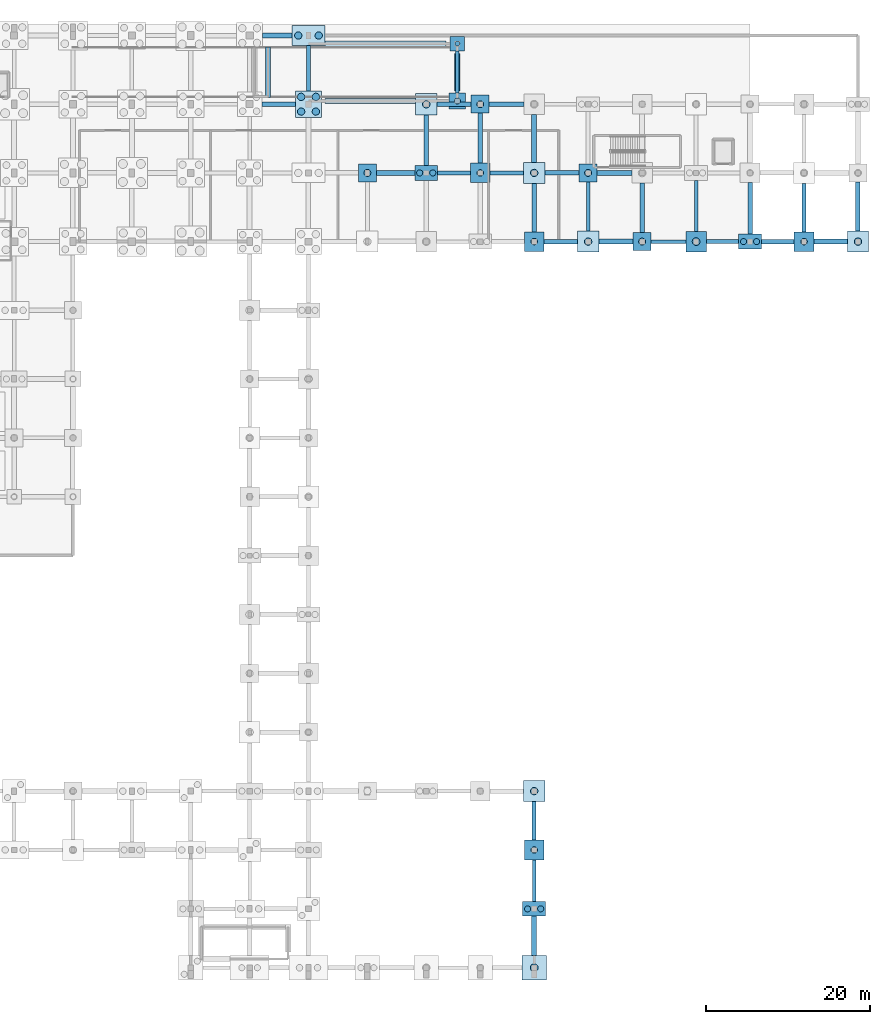
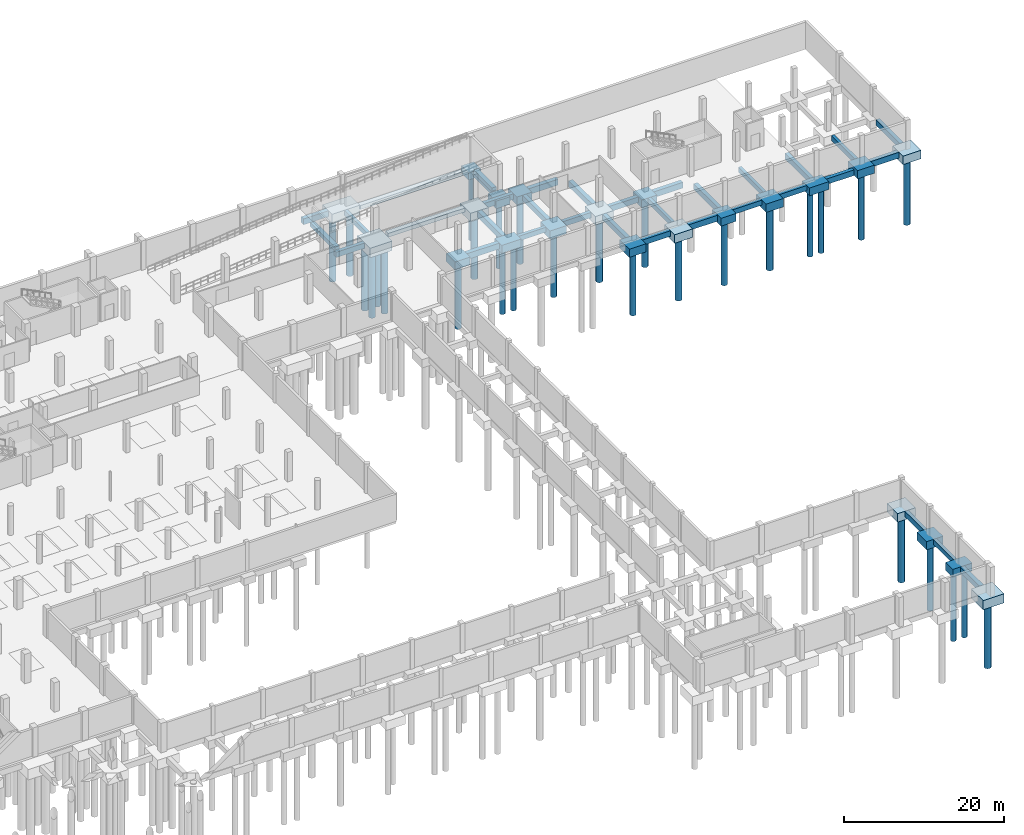
# One storey, part 12 of 35: 56 footings, 29 piles.
"""IFC4 building model written with IfcOpenShell, lengths in metres."""

from ifc_helpers import new_model, si_unit, direction, frame, origin, origin_2d, place, context, subcontext, project, spatial, rectangle, circle, extrude, material, material_profile, profile_set, type_object, element, save


model = new_model("IFC4")

# Units and contexts
model_context = context("Model", 3, precision=1e-05, world=origin(), true_north=direction((0.0, 1.0)))
body_context = subcontext(model_context, "Body", "Model", "MODEL_VIEW")
ifc_project = project(units=[si_unit("LENGTHUNIT", "METRE"), si_unit("AREAUNIT", "SQUARE_METRE"), si_unit("VOLUMEUNIT", "CUBIC_METRE"), si_unit("PLANEANGLEUNIT", "RADIAN"), si_unit("MASSUNIT", "GRAM", prefix="KILO")], contexts=[model_context])

# Site, building, storey
site_placement = place(None, origin())
site = spatial("IfcSite", under=ifc_project, at=site_placement, CompositionType="ELEMENT")
building_placement = place(site_placement, origin())
building = spatial("IfcBuilding", under=site, at=building_placement, Name="Kalluvel Institute of Natural Sciences", CompositionType="ELEMENT")
storey_placement = place(building_placement, frame((0.0, 0.0, -4.5)))
storey = spatial("IfcBuildingStorey", under=building, at=storey_placement, Name="B1", CompositionType="ELEMENT", Elevation=-4.5)

# Footings
ifc_material = material(Name="Concrete M40", Category="concrete")
footing_type_1 = type_object("IfcFootingType", Name="FB-450x750", PredefinedType="FOOTING_BEAM", material=ifc_material)
footing_1_placement = place(storey_placement, frame((158.824951171875, 102.800048828125, -1.199951171875), z_axis=(0.0, 0.0, 1.0), x_axis=(1.0, 0.0, 0.0)))
element("IfcFooting", 1, at=footing_1_placement, inside=storey, type_object=footing_type_1, Name="Foundation tie beam GB-X-132", PredefinedType="FOOTING_BEAM", context=body_context, shape_type="SweptSolid", body=[
    extrude(rectangle(XDim=4.25, YDim=0.449951171875, at=origin_2d()), origin(), (0.0, 0.0, 1.0), 0.75),
])
footing_2_placement = place(storey_placement, frame((132.60009765625, 111.199951171875, -1.199951171875), z_axis=(0.0, 0.0, 1.0), x_axis=(1.0, 0.0, 0.0)))
element("IfcFooting", 2, at=footing_2_placement, inside=storey, type_object=footing_type_1, Name="Foundation tie beam GB-X-152", PredefinedType="FOOTING_BEAM", context=body_context, shape_type="SweptSolid", body=[
    extrude(rectangle(XDim=4.0, YDim=0.449951171875, at=origin_2d()), origin(), (0.0, 0.0, 1.0), 0.75),
])
footing_3_placement = place(storey_placement, frame((114.800048828125, 124.0, -1.199951171875), z_axis=(0.0, 0.0, 1.0), x_axis=(1.0, 0.0, 0.0)))
element("IfcFooting", 3, at=footing_3_placement, inside=storey, type_object=footing_type_1, Name="Foundation tie beam GB-Y-356", PredefinedType="FOOTING_BEAM", context=body_context, shape_type="SweptSolid", body=[
    extrude(rectangle(XDim=0.449951171875, YDim=5.60009765625, at=origin_2d()), origin(), (0.0, 0.0, 1.0), 0.75),
])
for number, where, z_axis, x_axis, name in (
    (4, (133.0, 123.550048828125, -1.199951171875), (0.0, 0.0, 1.0), (1.0, 0.0, 0.0), "Foundation tie beam GB-Y-360"),
    (5, (142.39990234375, 24.64990234375, -0.75), (0.0, 0.0, 1.0), (1.0, 0.0, 0.0), "Foundation tie beam GB-Y-364"),
):
    element("IfcFooting", number, at=place(storey_placement, frame(where, z_axis=z_axis, x_axis=x_axis)), inside=storey, type_object=footing_type_1, Name=name, PredefinedType="FOOTING_BEAM", context=body_context, shape_type="SweptSolid", body=[
        extrude(rectangle(XDim=0.449951171875, YDim=5.10009765625, at=origin_2d()), origin(), (0.0, 0.0, 1.0), 0.75),
    ])
footing_4_placement = place(storey_placement, frame((149.0, 107.10009765625, -1.199951171875), z_axis=(0.0, 0.0, 1.0), x_axis=(1.0, 0.0, 0.0)))
element("IfcFooting", 6, at=footing_4_placement, inside=storey, type_object=footing_type_1, Name="Foundation tie beam GB-Y-368", PredefinedType="FOOTING_BEAM", context=body_context, shape_type="SweptSolid", body=[
    extrude(rectangle(XDim=0.449951171875, YDim=6.0, at=origin_2d()), origin(), (0.0, 0.0, 1.0), 0.75),
])
footing_5_placement = place(storey_placement, frame((162.199951171875, 107.175048828125, -1.199951171875), z_axis=(0.0, 0.0, 1.0), x_axis=(1.0, 0.0, 0.0)))
element("IfcFooting", 7, at=footing_5_placement, inside=storey, type_object=footing_type_1, Name="Foundation tie beam GB-Y-372", PredefinedType="FOOTING_BEAM", context=body_context, shape_type="SweptSolid", body=[
    extrude(rectangle(XDim=0.449951171875, YDim=6.25, at=origin_2d()), origin(), (0.0, 0.0, 1.0), 0.75),
])
footing_6_placement = place(storey_placement, frame((175.39990234375, 106.949951171875, -0.75), z_axis=(0.0, 0.0, 1.0), x_axis=(1.0, 0.0, 0.0)))
element("IfcFooting", 8, at=footing_6_placement, inside=storey, type_object=footing_type_1, Name="Foundation tie beam GB-Y-376", PredefinedType="FOOTING_BEAM", context=body_context, shape_type="SweptSolid", body=[
    extrude(rectangle(XDim=0.449951171875, YDim=5.89990234375, at=origin_2d()), origin(), (0.0, 0.0, 1.0), 0.75),
])
footing_type_2 = type_object("IfcFootingType", Name="FB-500x800", PredefinedType="FOOTING_BEAM", material=ifc_material)
footing_7_placement = place(storey_placement, frame((165.425048828125, 102.800048828125, -1.25), z_axis=(0.0, 0.0, 1.0), x_axis=(1.0, 0.0, 0.0)))
element("IfcFooting", 9, at=footing_7_placement, inside=storey, type_object=footing_type_2, Name="Foundation tie beam GB-X-133", PredefinedType="FOOTING_BEAM", context=body_context, shape_type="SweptSolid", body=[
    extrude(rectangle(XDim=3.949951171875, YDim=0.5, at=origin_2d()), origin(), (0.0, 0.0, 1.0), 0.800048828125),
])
for number, where, z_axis, x_axis, name in (
    (10, (139.050048828125, 111.199951171875, -1.25), (0.0, 0.0, 1.0), (1.0, 0.0, 0.0), "Foundation tie beam GB-X-153"),
    (11, (111.14990234375, 119.60009765625, -1.25), (0.0, 0.0, 1.0), (1.0, 0.0, 0.0), "Foundation tie beam GB-X-173"),
):
    element("IfcFooting", number, at=place(storey_placement, frame(where, z_axis=z_axis, x_axis=x_axis)), inside=storey, type_object=footing_type_2, Name=name, PredefinedType="FOOTING_BEAM", context=body_context, shape_type="SweptSolid", body=[
        extrude(rectangle(XDim=4.10009765625, YDim=0.5, at=origin_2d()), origin(), (0.0, 0.0, 1.0), 0.800048828125),
    ])
footing_8_placement = place(storey_placement, frame((142.39990234375, 31.949951171875, -0.7998046875), z_axis=(0.0, 0.0, 1.0), x_axis=(1.0, 0.0, 0.0)))
element("IfcFooting", 12, at=footing_8_placement, inside=storey, type_object=footing_type_2, Name="Foundation tie beam GB-Y-365", PredefinedType="FOOTING_BEAM", context=body_context, shape_type="SweptSolid", body=[
    extrude(rectangle(XDim=0.5, YDim=4.699951171875, at=origin_2d()), origin(), (0.0, 0.0, 1.0), 0.800048828125),
])
footing_type_3 = type_object("IfcFootingType", Name="FB-550x850", PredefinedType="FOOTING_BEAM", material=ifc_material)
footing_9_placement = place(storey_placement, frame((145.64990234375, 102.800048828125, -1.300048828125), z_axis=(0.0, 0.0, 1.0), x_axis=(1.0, 0.0, 0.0)))
element("IfcFooting", 13, at=footing_9_placement, inside=storey, type_object=footing_type_3, Name="Foundation tie beam GB-X-130", PredefinedType="FOOTING_BEAM", context=body_context, shape_type="SweptSolid", body=[
    extrude(rectangle(XDim=4.10009765625, YDim=0.550048828125, at=origin_2d()), origin(), (0.0, 0.0, 1.0), 0.85009765625),
])
footing_10_placement = place(storey_placement, frame((172.199951171875, 102.800048828125, -1.300048828125), z_axis=(0.0, 0.0, 1.0), x_axis=(1.0, 0.0, 0.0)))
element("IfcFooting", 14, at=footing_10_placement, inside=storey, type_object=footing_type_3, Name="Foundation tie beam GB-X-134", PredefinedType="FOOTING_BEAM", context=body_context, shape_type="SweptSolid", body=[
    extrude(rectangle(XDim=4.0, YDim=0.550048828125, at=origin_2d()), origin(), (0.0, 0.0, 1.0), 0.85009765625),
])
for number, where, z_axis, x_axis, name in (
    (15, (145.800048828125, 111.199951171875, -1.300048828125), (0.0, 0.0, 1.0), (1.0, 0.0, 0.0), "Foundation tie beam GB-X-154"),
    (16, (132.60009765625, 119.60009765625, -1.300048828125), (0.0, 0.0, 1.0), (1.0, 0.0, 0.0), "Foundation tie beam GB-X-174"),
):
    element("IfcFooting", number, at=place(storey_placement, frame(where, z_axis=z_axis, x_axis=x_axis)), inside=storey, type_object=footing_type_3, Name=name, PredefinedType="FOOTING_BEAM", context=body_context, shape_type="SweptSolid", body=[
        extrude(rectangle(XDim=4.199951171875, YDim=0.550048828125, at=origin_2d()), origin(), (0.0, 0.0, 1.0), 0.85009765625),
    ])
footing_11_placement = place(storey_placement, frame((135.800048828125, 115.449951171875, -1.300048828125), z_axis=(0.0, 0.0, 1.0), x_axis=(1.0, 0.0, 0.0)))
element("IfcFooting", 17, at=footing_11_placement, inside=storey, type_object=footing_type_3, Name="Foundation tie beam GB-Y-362", PredefinedType="FOOTING_BEAM", context=body_context, shape_type="SweptSolid", body=[
    extrude(rectangle(XDim=0.550048828125, YDim=6.10009765625, at=origin_2d()), origin(), (0.0, 0.0, 1.0), 0.85009765625),
])
footing_12_placement = place(storey_placement, frame((142.39990234375, 106.949951171875, -1.300048828125), z_axis=(0.0, 0.0, 1.0), x_axis=(1.0, 0.0, 0.0)))
element("IfcFooting", 18, at=footing_12_placement, inside=storey, type_object=footing_type_3, Name="Foundation tie beam GB-Y-366", PredefinedType="FOOTING_BEAM", context=body_context, shape_type="SweptSolid", body=[
    extrude(rectangle(XDim=0.550048828125, YDim=5.89990234375, at=origin_2d()), origin(), (0.0, 0.0, 1.0), 0.85009765625),
])
footing_13_placement = place(storey_placement, frame((155.60009765625, 106.925048828125, -1.300048828125), z_axis=(0.0, 0.0, 1.0), x_axis=(1.0, 0.0, 0.0)))
element("IfcFooting", 19, at=footing_13_placement, inside=storey, type_object=footing_type_3, Name="Foundation tie beam GB-Y-370", PredefinedType="FOOTING_BEAM", context=body_context, shape_type="SweptSolid", body=[
    extrude(rectangle(XDim=0.550048828125, YDim=6.050048828125, at=origin_2d()), origin(), (0.0, 0.0, 1.0), 0.85009765625),
])
footing_14_placement = place(storey_placement, frame((168.800048828125, 106.85009765625, -1.300048828125), z_axis=(0.0, 0.0, 1.0), x_axis=(1.0, 0.0, 0.0)))
element("IfcFooting", 20, at=footing_14_placement, inside=storey, type_object=footing_type_3, Name="Foundation tie beam GB-Y-374", PredefinedType="FOOTING_BEAM", context=body_context, shape_type="SweptSolid", body=[
    extrude(rectangle(XDim=0.550048828125, YDim=6.300048828125, at=origin_2d()), origin(), (0.0, 0.0, 1.0), 0.85009765625),
])
footing_15_placement = place(storey_placement, frame((182.0, 107.10009765625, -0.85009765625), z_axis=(0.0, 0.0, 1.0), x_axis=(1.0, 0.0, 0.0)))
element("IfcFooting", 21, at=footing_15_placement, inside=storey, type_object=footing_type_3, Name="Foundation tie beam GB-Y-378", PredefinedType="FOOTING_BEAM", context=body_context, shape_type="SweptSolid", body=[
    extrude(rectangle(XDim=0.550048828125, YDim=6.0, at=origin_2d()), origin(), (0.0, 0.0, 1.0), 0.85009765625),
])
footing_type_4 = type_object("IfcFootingType", Name="FB-600x900", PredefinedType="FOOTING_BEAM", material=ifc_material)
footing_16_placement = place(storey_placement, frame((152.39990234375, 102.800048828125, -1.349853515625), z_axis=(0.0, 0.0, 1.0), x_axis=(1.0, 0.0, 0.0)))
element("IfcFooting", 22, at=footing_16_placement, inside=storey, type_object=footing_type_4, Name="Foundation tie beam GB-X-131", PredefinedType="FOOTING_BEAM", context=body_context, shape_type="SweptSolid", body=[
    extrude(rectangle(XDim=4.199951171875, YDim=0.60009765625, at=origin_2d()), origin(), (0.0, 0.0, 1.0), 0.89990234375),
])
footing_17_placement = place(storey_placement, frame((178.64990234375, 102.800048828125, -0.89990234375), z_axis=(0.0, 0.0, 1.0), x_axis=(1.0, 0.0, 0.0)))
element("IfcFooting", 23, at=footing_17_placement, inside=storey, type_object=footing_type_4, Name="Foundation tie beam GB-X-135", PredefinedType="FOOTING_BEAM", context=body_context, shape_type="SweptSolid", body=[
    extrude(rectangle(XDim=4.10009765625, YDim=0.60009765625, at=origin_2d()), origin(), (0.0, 0.0, 1.0), 0.89990234375),
])
footing_18_placement = place(storey_placement, frame((125.449951171875, 111.199951171875, -1.349853515625), z_axis=(0.0, 0.0, 1.0), x_axis=(1.0, 0.0, 0.0)))
element("IfcFooting", 24, at=footing_18_placement, inside=storey, type_object=footing_type_4, Name="Foundation tie beam GB-X-151", PredefinedType="FOOTING_BEAM", context=body_context, shape_type="SweptSolid", body=[
    extrude(rectangle(XDim=4.699951171875, YDim=0.60009765625, at=origin_2d()), origin(), (0.0, 0.0, 1.0), 0.89990234375),
])
for number, where, z_axis, x_axis, name in (
    (25, (152.22509765625, 111.199951171875, -1.349853515625), (0.0, 0.0, 1.0), (1.0, 0.0, 0.0), "Foundation tie beam GB-X-155"),
    (26, (139.02490234375, 119.60009765625, -1.349853515625), (0.0, 0.0, 1.0), (1.0, 0.0, 0.0), "Foundation tie beam GB-X-175"),
):
    element("IfcFooting", number, at=place(storey_placement, frame(where, z_axis=z_axis, x_axis=x_axis)), inside=storey, type_object=footing_type_4, Name=name, PredefinedType="FOOTING_BEAM", context=body_context, shape_type="SweptSolid", body=[
        extrude(rectangle(XDim=4.25, YDim=0.60009765625, at=origin_2d()), origin(), (0.0, 0.0, 1.0), 0.89990234375),
    ])
footing_19_placement = place(storey_placement, frame((111.0, 128.0, -1.349853515625), z_axis=(0.0, 0.0, 1.0), x_axis=(1.0, 0.0, 0.0)))
element("IfcFooting", 27, at=footing_19_placement, inside=storey, type_object=footing_type_4, Name="Foundation tie beam GB-X-195", PredefinedType="FOOTING_BEAM", context=body_context, shape_type="SweptSolid", body=[
    extrude(rectangle(XDim=3.60009765625, YDim=0.60009765625, at=origin_2d()), origin(), (0.0, 0.0, 1.0), 0.89990234375),
])
footing_20_placement = place(storey_placement, frame((129.199951171875, 115.199951171875, -1.349853515625), z_axis=(0.0, 0.0, 1.0), x_axis=(1.0, 0.0, 0.0)))
element("IfcFooting", 28, at=footing_20_placement, inside=storey, type_object=footing_type_4, Name="Foundation tie beam GB-Y-359", PredefinedType="FOOTING_BEAM", context=body_context, shape_type="SweptSolid", body=[
    extrude(rectangle(XDim=0.60009765625, YDim=6.199951171875, at=origin_2d()), origin(), (0.0, 0.0, 1.0), 0.89990234375),
])
footing_21_placement = place(storey_placement, frame((142.39990234375, 17.89990234375, -0.89990234375), z_axis=(0.0, 0.0, 1.0), x_axis=(1.0, 0.0, 0.0)))
element("IfcFooting", 29, at=footing_21_placement, inside=storey, type_object=footing_type_4, Name="Foundation tie beam GB-Y-363", PredefinedType="FOOTING_BEAM", context=body_context, shape_type="SweptSolid", body=[
    extrude(rectangle(XDim=0.60009765625, YDim=4.800048828125, at=origin_2d()), origin(), (0.0, 0.0, 1.0), 0.89990234375),
])
footing_22_placement = place(storey_placement, frame((142.39990234375, 115.425048828125, -1.349853515625), z_axis=(0.0, 0.0, 1.0), x_axis=(1.0, 0.0, 0.0)))
element("IfcFooting", 30, at=footing_22_placement, inside=storey, type_object=footing_type_4, Name="Foundation tie beam GB-Y-367", PredefinedType="FOOTING_BEAM", context=body_context, shape_type="SweptSolid", body=[
    extrude(rectangle(XDim=0.60009765625, YDim=5.85009765625, at=origin_2d()), origin(), (0.0, 0.0, 1.0), 0.89990234375),
])
footing_type_5 = type_object("IfcFootingType", Name="FT-STRIP-650x600", PredefinedType="STRIP_FOOTING", material=ifc_material)
footing_23_placement = place(storey_placement, frame((124.205078125, 127.0, -1.050048828125), z_axis=(0.0, 0.0, 1.0), x_axis=(1.0, 0.0, 0.0)))
element("IfcFooting", 31, at=footing_23_placement, inside=storey, type_object=footing_type_5, Name="Vehicle ramp north wall strip footing SF-001", PredefinedType="STRIP_FOOTING", context=body_context, shape_type="SweptSolid", body=[
    extrude(rectangle(XDim=14.7900390625, YDim=0.64990234375, at=origin_2d()), origin(), (0.0, 0.0, 1.0), 0.60009765625),
])
footing_24_placement = place(storey_placement, frame((122.344970703125, 120.0, -1.050048828125), z_axis=(0.0, 0.0, 1.0), x_axis=(1.0, 0.0, 0.0)))
element("IfcFooting", 32, at=footing_24_placement, inside=storey, type_object=footing_type_5, Name="Vehicle ramp south wall strip footing SF-002", PredefinedType="STRIP_FOOTING", context=body_context, shape_type="SweptSolid", body=[
    extrude(rectangle(XDim=11.090087890625, YDim=0.64990234375, at=origin_2d()), origin(), (0.0, 0.0, 1.0), 0.60009765625),
])
footing_25_placement = place(storey_placement, frame((133.0, 123.5, -0.60009765625), z_axis=(0.0, 0.0, 1.0), x_axis=(1.0, 0.0, 0.0)))
element("IfcFooting", 33, at=footing_25_placement, inside=storey, type_object=footing_type_5, Name="Vehicle ramp east portal strip footing SF-003", PredefinedType="STRIP_FOOTING", context=body_context, shape_type="SweptSolid", body=[
    extrude(rectangle(XDim=0.64990234375, YDim=4.60009765625, at=origin_2d()), origin(), (0.0, 0.0, 1.0), 0.60009765625),
])
footing_26_placement = place(storey_placement, frame((109.85009765625, 123.5, -1.050048828125), z_axis=(0.0, 0.0, 1.0), x_axis=(1.0, 0.0, 0.0)))
element("IfcFooting", 34, at=footing_26_placement, inside=storey, type_object=footing_type_5, Name="Vehicle ramp mid-landing east strip footing SF-005", PredefinedType="STRIP_FOOTING", context=body_context, shape_type="SweptSolid", body=[
    extrude(rectangle(XDim=0.64990234375, YDim=6.199951171875, at=origin_2d()), origin(), (0.0, 0.0, 1.0), 0.60009765625),
])
footing_type_6 = type_object("IfcFootingType", Name="PC-1800x1800x1100", PredefinedType="PILE_CAP", material=ifc_material)
footing_27_placement = place(storey_placement, frame((133.0, 127.0, -1.550048828125), z_axis=(0.0, 0.0, 1.0), x_axis=(1.0, 0.0, 0.0)))
element("IfcFooting", 35, at=footing_27_placement, inside=storey, type_object=footing_type_6, Name="Pile cap CAP-196", PredefinedType="PILE_CAP", context=body_context, shape_type="SweptSolid", body=[
    extrude(rectangle(XDim=1.800048828125, YDim=1.800048828125, at=origin_2d()), origin(), (0.0, 0.0, 1.0), 1.10009765625),
])
footing_type_7 = type_object("IfcFootingType", Name="PC-2000x2000x1150", PredefinedType="PILE_CAP", material=ifc_material)
footing_28_placement = place(storey_placement, frame((133.0, 120.0, -1.599853515625), z_axis=(0.0, 0.0, 1.0), x_axis=(1.0, 0.0, 0.0)))
element("IfcFooting", 36, at=footing_28_placement, inside=storey, type_object=footing_type_7, Name="Pile cap CAP-195", PredefinedType="PILE_CAP", context=body_context, shape_type="SweptSolid", body=[
    extrude(rectangle(XDim=2.0, YDim=2.0, at=origin_2d()), origin(), (0.0, 0.0, 1.0), 1.14990234375),
])
footing_type_8 = type_object("IfcFootingType", Name="PC-2200x2200x1200", PredefinedType="PILE_CAP", material=ifc_material)
for number, where, z_axis, x_axis, name in (
    (37, (122.0, 111.199951171875, -1.64990234375), (0.0, 0.0, 1.0), (1.0, 0.0, 0.0), "Pile cap CAP-189"),
    (38, (135.800048828125, 119.60009765625, -1.64990234375), (0.0, 0.0, 1.0), (1.0, 0.0, 0.0), "Pile cap CAP-201"),
    (39, (149.0, 111.199951171875, -1.64990234375), (0.0, 0.0, 1.0), (1.0, 0.0, 0.0), "Pile cap CAP-210"),
    (40, (155.60009765625, 102.800048828125, -1.64990234375), (0.0, 0.0, 1.0), (1.0, 0.0, 0.0), "Pile cap CAP-212"),
):
    element("IfcFooting", number, at=place(storey_placement, frame(where, z_axis=z_axis, x_axis=x_axis)), inside=storey, type_object=footing_type_8, Name=name, PredefinedType="PILE_CAP", context=body_context, shape_type="SweptSolid", body=[
        extrude(rectangle(XDim=2.199951171875, YDim=2.199951171875, at=origin_2d()), origin(), (0.0, 0.0, 1.0), 1.199951171875),
    ])
footing_type_9 = type_object("IfcFootingType", Name="PC-2400x2400x1250", PredefinedType="PILE_CAP", material=ifc_material)
for number, where, z_axis, x_axis, name in (
    (41, (135.800048828125, 111.199951171875, -1.699951171875), (0.0, 0.0, 1.0), (1.0, 0.0, 0.0), "Pile cap CAP-200"),
    (42, (142.39990234375, 28.39990234375, -1.25), (0.0, 0.0, 1.0), (1.0, 0.0, 0.0), "Pile cap CAP-204"),
    (43, (142.39990234375, 102.800048828125, -1.699951171875), (0.0, 0.0, 1.0), (1.0, 0.0, 0.0), "Pile cap CAP-206"),
    (44, (175.39990234375, 102.800048828125, -1.25), (0.0, 0.0, 1.0), (1.0, 0.0, 0.0), "Pile cap CAP-221"),
):
    element("IfcFooting", number, at=place(storey_placement, frame(where, z_axis=z_axis, x_axis=x_axis)), inside=storey, type_object=footing_type_9, Name=name, PredefinedType="PILE_CAP", context=body_context, shape_type="SweptSolid", body=[
        extrude(rectangle(XDim=2.39990234375, YDim=2.39990234375, at=origin_2d()), origin(), (0.0, 0.0, 1.0), 1.25),
    ])
footing_type_10 = type_object("IfcFootingType", Name="PC-2500x2500x1280", PredefinedType="PILE_CAP", material=ifc_material)
footing_29_placement = place(storey_placement, frame((162.199951171875, 102.800048828125, -1.72998046875), z_axis=(0.0, 0.0, 1.0), x_axis=(1.0, 0.0, 0.0)))
element("IfcFooting", 45, at=footing_29_placement, inside=storey, type_object=footing_type_10, Name="Pile cap CAP-215", PredefinedType="PILE_CAP", context=body_context, shape_type="SweptSolid", body=[
    extrude(rectangle(XDim=2.5, YDim=2.5, at=origin_2d()), origin(), (0.0, 0.0, 1.0), 1.280029296875),
])
footing_type_11 = type_object("IfcFootingType", Name="PC-2600x2600x1300", PredefinedType="PILE_CAP", material=ifc_material)
for number, where, z_axis, x_axis, name in (
    (46, (129.199951171875, 119.60009765625, -1.75), (0.0, 0.0, 1.0), (1.0, 0.0, 0.0), "Pile cap CAP-194"),
    (47, (142.39990234375, 35.60009765625, -1.2998046875), (0.0, 0.0, 1.0), (1.0, 0.0, 0.0), "Pile cap CAP-205"),
    (48, (142.39990234375, 111.199951171875, -1.75), (0.0, 0.0, 1.0), (1.0, 0.0, 0.0), "Pile cap CAP-207"),
    (49, (149.0, 102.800048828125, -1.75), (0.0, 0.0, 1.0), (1.0, 0.0, 0.0), "Pile cap CAP-209"),
    (50, (182.0, 102.800048828125, -1.2998046875), (0.0, 0.0, 1.0), (1.0, 0.0, 0.0), "Pile cap CAP-224"),
):
    element("IfcFooting", number, at=place(storey_placement, frame(where, z_axis=z_axis, x_axis=x_axis)), inside=storey, type_object=footing_type_11, Name=name, PredefinedType="PILE_CAP", context=body_context, shape_type="SweptSolid", body=[
        extrude(rectangle(XDim=2.60009765625, YDim=2.60009765625, at=origin_2d()), origin(), (0.0, 0.0, 1.0), 1.300048828125),
    ])
footing_type_12 = type_object("IfcFootingType", Name="PC-2800x1800x1200", PredefinedType="PILE_CAP", material=ifc_material)
for number, where, z_axis, x_axis, name in (
    (51, (129.199951171875, 111.199951171875, -1.64990234375), (0.0, 0.0, 1.0), (1.0, 0.0, 0.0), "Pile cap CAP-193"),
    (52, (142.39990234375, 21.199951171875, -1.2001953125), (0.0, 0.0, 1.0), (1.0, 0.0, 0.0), "Pile cap CAP-203"),
    (53, (168.800048828125, 102.800048828125, -1.64990234375), (0.0, 0.0, 1.0), (1.0, 0.0, 0.0), "Pile cap CAP-218"),
):
    element("IfcFooting", number, at=place(storey_placement, frame(where, z_axis=z_axis, x_axis=x_axis)), inside=storey, type_object=footing_type_12, Name=name, PredefinedType="PILE_CAP", context=body_context, shape_type="SweptSolid", body=[
        extrude(rectangle(XDim=2.800048828125, YDim=1.800048828125, at=origin_2d()), origin(), (0.0, 0.0, 1.0), 1.199951171875),
    ])
footing_type_13 = type_object("IfcFootingType", Name="PC-3000x3000x1400", PredefinedType="PILE_CAP", material=ifc_material)
footing_30_placement = place(storey_placement, frame((142.39990234375, 14.0, -1.39990234375), z_axis=(0.0, 0.0, 1.0), x_axis=(1.0, 0.0, 0.0)))
element("IfcFooting", 54, at=footing_30_placement, inside=storey, type_object=footing_type_13, Name="Pile cap CAP-202", PredefinedType="PILE_CAP", context=body_context, shape_type="SweptSolid", body=[
    extrude(rectangle(XDim=3.0, YDim=3.0, at=origin_2d()), origin(), (0.0, 0.0, 1.0), 1.39990234375),
])
footing_type_14 = type_object("IfcFootingType", Name="PC-3200x3200x1450", PredefinedType="PILE_CAP", material=ifc_material)
footing_31_placement = place(storey_placement, frame((114.800048828125, 119.60009765625, -1.89990234375), z_axis=(0.0, 0.0, 1.0), x_axis=(1.0, 0.0, 0.0)))
element("IfcFooting", 55, at=footing_31_placement, inside=storey, type_object=footing_type_14, Name="Pile cap CAP-184", PredefinedType="PILE_CAP", context=body_context, shape_type="SweptSolid", body=[
    extrude(rectangle(XDim=3.199951171875, YDim=3.199951171875, at=origin_2d()), origin(), (0.0, 0.0, 1.0), 1.449951171875),
])
footing_type_15 = type_object("IfcFootingType", Name="PC-4000x2400x1450", PredefinedType="PILE_CAP", material=ifc_material)
footing_32_placement = place(storey_placement, frame((114.800048828125, 128.0, -1.89990234375), z_axis=(0.0, 0.0, 1.0), x_axis=(1.0, 0.0, 0.0)))
element("IfcFooting", 56, at=footing_32_placement, inside=storey, type_object=footing_type_15, Name="Pile cap CAP-185", PredefinedType="PILE_CAP", context=body_context, shape_type="SweptSolid", body=[
    extrude(rectangle(XDim=4.0, YDim=2.39990234375, at=origin_2d()), origin(), (0.0, 0.0, 1.0), 1.449951171875),
])

# Piles
ifc_material_profile_1 = material_profile(ifc_material, circle(Radius=0.300048828125, at=origin_2d()), Name="PILE D600")
ifc_profile_set_1 = profile_set([ifc_material_profile_1], Name="Concrete M40")
pile_type_1 = type_object("IfcPileType", Name="PILE-D600", PredefinedType="BORED", material=ifc_profile_set_1)
pile_1_placement = place(storey_placement, frame((133.0, 127.0, -1.429931640625), z_axis=(0.0, 0.0, -1.0), x_axis=(1.0, 0.0, 0.0)))
element("IfcPile", 57, at=pile_1_placement, inside=storey, type_object=pile_type_1, Name="Bored rock-socketed pile PILE-X13300-Y12700", PredefinedType="BORED", context=body_context, shape_type="SweptSolid", body=[
    extrude(circle(Radius=0.300048828125, at=origin_2d()), origin(), (0.0, 0.0, 1.0), 10.070068359375),
])
ifc_material_profile_2 = material_profile(ifc_material, circle(Radius=0.375, at=origin_2d()), Name="PILE D750")
ifc_profile_set_2 = profile_set([ifc_material_profile_2], Name="Concrete M40")
pile_type_2 = type_object("IfcPileType", Name="PILE-D750", PredefinedType="BORED", material=ifc_profile_set_2)
for number, where, z_axis, x_axis, name in (
    (58, (128.39990234375, 111.199951171875, -1.530029296875), (0.0, 0.0, -1.0), (1.0, 0.0, 0.0), "Bored rock-socketed pile PILE-X12840-Y11120"),
    (59, (130.0, 111.199951171875, -1.530029296875), (0.0, 0.0, -1.0), (1.0, 0.0, 0.0), "Bored rock-socketed pile PILE-X13000-Y11120"),
):
    element("IfcPile", number, at=place(storey_placement, frame(where, z_axis=z_axis, x_axis=x_axis)), inside=storey, type_object=pile_type_2, Name=name, PredefinedType="BORED", context=body_context, shape_type="SweptSolid", body=[
        extrude(circle(Radius=0.375, at=origin_2d()), origin(), (0.0, 0.0, 1.0), 9.969970703125),
    ])
pile_2_placement = place(storey_placement, frame((133.0, 120.0, -1.47998046875), z_axis=(0.0, 0.0, -1.0), x_axis=(1.0, 0.0, 0.0)))
element("IfcPile", 60, at=pile_2_placement, inside=storey, type_object=pile_type_2, Name="Bored rock-socketed pile PILE-X13300-Y12000", PredefinedType="BORED", context=body_context, shape_type="SweptSolid", body=[
    extrude(circle(Radius=0.375, at=origin_2d()), origin(), (0.0, 0.0, 1.0), 10.02001953125),
])
for number, where, z_axis, x_axis, name in (
    (61, (141.60009765625, 21.199951171875, -1.080078125), (0.0, 0.0, -1.0), (1.0, 0.0, 0.0), "Bored rock-socketed pile PILE-X14160-Y2120"),
    (62, (143.199951171875, 21.199951171875, -1.080078125), (0.0, 0.0, -1.0), (1.0, 0.0, 0.0), "Bored rock-socketed pile PILE-X14320-Y2120"),
):
    element("IfcPile", number, at=place(storey_placement, frame(where, z_axis=z_axis, x_axis=x_axis)), inside=storey, type_object=pile_type_2, Name=name, PredefinedType="BORED", context=body_context, shape_type="SweptSolid", body=[
        extrude(circle(Radius=0.375, at=origin_2d()), origin(), (0.0, 0.0, 1.0), 10.419921875),
    ])
for number, where, z_axis, x_axis, name in (
    (63, (168.0, 102.800048828125, -1.530029296875), (0.0, 0.0, -1.0), (1.0, 0.0, 0.0), "Bored rock-socketed pile PILE-X16800-Y10280"),
    (64, (169.60009765625, 102.800048828125, -1.530029296875), (0.0, 0.0, -1.0), (1.0, 0.0, 0.0), "Bored rock-socketed pile PILE-X16960-Y10280"),
):
    element("IfcPile", number, at=place(storey_placement, frame(where, z_axis=z_axis, x_axis=x_axis)), inside=storey, type_object=pile_type_2, Name=name, PredefinedType="BORED", context=body_context, shape_type="SweptSolid", body=[
        extrude(circle(Radius=0.375, at=origin_2d()), origin(), (0.0, 0.0, 1.0), 9.969970703125),
    ])
ifc_material_profile_3 = material_profile(ifc_material, circle(Radius=0.39990234375, at=origin_2d()), Name="PILE D800")
ifc_profile_set_3 = profile_set([ifc_material_profile_3], Name="Concrete M40")
pile_type_3 = type_object("IfcPileType", Name="PILE-D800", PredefinedType="BORED", material=ifc_profile_set_3)
pile_3_placement = place(storey_placement, frame((135.800048828125, 111.199951171875, -1.580078125), z_axis=(0.0, 0.0, -1.0), x_axis=(1.0, 0.0, 0.0)))
element("IfcPile", 65, at=pile_3_placement, inside=storey, type_object=pile_type_3, Name="Bored rock-socketed pile PILE-X13580-Y11120", PredefinedType="BORED", context=body_context, shape_type="SweptSolid", body=[
    extrude(circle(Radius=0.39990234375, at=origin_2d()), origin(), (0.0, 0.0, 1.0), 9.919921875),
])
pile_4_placement = place(storey_placement, frame((142.39990234375, 28.39990234375, -1.1298828125), z_axis=(0.0, 0.0, -1.0), x_axis=(1.0, 0.0, 0.0)))
element("IfcPile", 66, at=pile_4_placement, inside=storey, type_object=pile_type_3, Name="Bored rock-socketed pile PILE-X14240-Y2840", PredefinedType="BORED", context=body_context, shape_type="SweptSolid", body=[
    extrude(circle(Radius=0.39990234375, at=origin_2d()), origin(), (0.0, 0.0, 1.0), 10.3701171875),
])
pile_5_placement = place(storey_placement, frame((142.39990234375, 102.800048828125, -1.580078125), z_axis=(0.0, 0.0, -1.0), x_axis=(1.0, 0.0, 0.0)))
element("IfcPile", 67, at=pile_5_placement, inside=storey, type_object=pile_type_3, Name="Bored rock-socketed pile PILE-X14240-Y10280", PredefinedType="BORED", context=body_context, shape_type="SweptSolid", body=[
    extrude(circle(Radius=0.39990234375, at=origin_2d()), origin(), (0.0, 0.0, 1.0), 9.919921875),
])
pile_6_placement = place(storey_placement, frame((175.39990234375, 102.800048828125, -1.1298828125), z_axis=(0.0, 0.0, -1.0), x_axis=(1.0, 0.0, 0.0)))
element("IfcPile", 68, at=pile_6_placement, inside=storey, type_object=pile_type_3, Name="Bored rock-socketed pile PILE-X17540-Y10280", PredefinedType="BORED", context=body_context, shape_type="SweptSolid", body=[
    extrude(circle(Radius=0.39990234375, at=origin_2d()), origin(), (0.0, 0.0, 1.0), 10.3701171875),
])
ifc_material_profile_4 = material_profile(ifc_material, circle(Radius=0.425048828125, at=origin_2d()), Name="PILE D850")
ifc_profile_set_4 = profile_set([ifc_material_profile_4], Name="Concrete M40")
pile_type_4 = type_object("IfcPileType", Name="PILE-D850", PredefinedType="BORED", material=ifc_profile_set_4)
for number, where, z_axis, x_axis, name in (
    (69, (122.0, 111.199951171875, -1.530029296875), (0.0, 0.0, -1.0), (1.0, 0.0, 0.0), "Bored rock-socketed pile PILE-X12200-Y11120"),
    (70, (135.800048828125, 119.60009765625, -1.530029296875), (0.0, 0.0, -1.0), (1.0, 0.0, 0.0), "Bored rock-socketed pile PILE-X13580-Y11960"),
    (71, (149.0, 111.199951171875, -1.530029296875), (0.0, 0.0, -1.0), (1.0, 0.0, 0.0), "Bored rock-socketed pile PILE-X14900-Y11120"),
    (72, (155.60009765625, 102.800048828125, -1.530029296875), (0.0, 0.0, -1.0), (1.0, 0.0, 0.0), "Bored rock-socketed pile PILE-X15560-Y10280"),
):
    element("IfcPile", number, at=place(storey_placement, frame(where, z_axis=z_axis, x_axis=x_axis)), inside=storey, type_object=pile_type_4, Name=name, PredefinedType="BORED", context=body_context, shape_type="SweptSolid", body=[
        extrude(circle(Radius=0.425048828125, at=origin_2d()), origin(), (0.0, 0.0, 1.0), 9.969970703125),
    ])
ifc_material_profile_5 = material_profile(ifc_material, circle(Radius=0.449951171875, at=origin_2d()), Name="PILE D900")
ifc_profile_set_5 = profile_set([ifc_material_profile_5], Name="Concrete M40")
pile_type_5 = type_object("IfcPileType", Name="PILE-D900", PredefinedType="BORED", material=ifc_profile_set_5)
for number, where, z_axis, x_axis, name in (
    (73, (113.89990234375, 118.699951171875, -1.780029296875), (0.0, 0.0, -1.0), (1.0, 0.0, 0.0), "Bored rock-socketed pile PILE-X11390-Y11870"),
    (74, (115.699951171875, 118.699951171875, -1.780029296875), (0.0, 0.0, -1.0), (1.0, 0.0, 0.0), "Bored rock-socketed pile PILE-X11570-Y11870"),
    (75, (113.89990234375, 120.5, -1.780029296875), (0.0, 0.0, -1.0), (1.0, 0.0, 0.0), "Bored rock-socketed pile PILE-X11390-Y12050"),
    (76, (115.699951171875, 120.5, -1.780029296875), (0.0, 0.0, -1.0), (1.0, 0.0, 0.0), "Bored rock-socketed pile PILE-X11570-Y12050"),
    (77, (113.550048828125, 128.0, -1.780029296875), (0.0, 0.0, -1.0), (1.0, 0.0, 0.0), "Bored rock-socketed pile PILE-X11355-Y12800"),
    (78, (116.050048828125, 128.0, -1.780029296875), (0.0, 0.0, -1.0), (1.0, 0.0, 0.0), "Bored rock-socketed pile PILE-X11605-Y12800"),
):
    element("IfcPile", number, at=place(storey_placement, frame(where, z_axis=z_axis, x_axis=x_axis)), inside=storey, type_object=pile_type_5, Name=name, PredefinedType="BORED", context=body_context, shape_type="SweptSolid", body=[
        extrude(circle(Radius=0.449951171875, at=origin_2d()), origin(), (0.0, 0.0, 1.0), 9.719970703125),
    ])
pile_7_placement = place(storey_placement, frame((129.199951171875, 119.60009765625, -1.6298828125), z_axis=(0.0, 0.0, -1.0), x_axis=(1.0, 0.0, 0.0)))
element("IfcPile", 79, at=pile_7_placement, inside=storey, type_object=pile_type_5, Name="Bored rock-socketed pile PILE-X12920-Y11960", PredefinedType="BORED", context=body_context, shape_type="SweptSolid", body=[
    extrude(circle(Radius=0.449951171875, at=origin_2d()), origin(), (0.0, 0.0, 1.0), 9.8701171875),
])
pile_8_placement = place(storey_placement, frame((142.39990234375, 35.60009765625, -1.179931640625), z_axis=(0.0, 0.0, -1.0), x_axis=(1.0, 0.0, 0.0)))
element("IfcPile", 80, at=pile_8_placement, inside=storey, type_object=pile_type_5, Name="Bored rock-socketed pile PILE-X14240-Y3560", PredefinedType="BORED", context=body_context, shape_type="SweptSolid", body=[
    extrude(circle(Radius=0.449951171875, at=origin_2d()), origin(), (0.0, 0.0, 1.0), 10.320068359375),
])
for number, where, z_axis, x_axis, name in (
    (81, (142.39990234375, 111.199951171875, -1.6298828125), (0.0, 0.0, -1.0), (1.0, 0.0, 0.0), "Bored rock-socketed pile PILE-X14240-Y11120"),
    (82, (149.0, 102.800048828125, -1.6298828125), (0.0, 0.0, -1.0), (1.0, 0.0, 0.0), "Bored rock-socketed pile PILE-X14900-Y10280"),
):
    element("IfcPile", number, at=place(storey_placement, frame(where, z_axis=z_axis, x_axis=x_axis)), inside=storey, type_object=pile_type_5, Name=name, PredefinedType="BORED", context=body_context, shape_type="SweptSolid", body=[
        extrude(circle(Radius=0.449951171875, at=origin_2d()), origin(), (0.0, 0.0, 1.0), 9.8701171875),
    ])
pile_9_placement = place(storey_placement, frame((182.0, 102.800048828125, -1.179931640625), z_axis=(0.0, 0.0, -1.0), x_axis=(1.0, 0.0, 0.0)))
element("IfcPile", 83, at=pile_9_placement, inside=storey, type_object=pile_type_5, Name="Bored rock-socketed pile PILE-X18200-Y10280", PredefinedType="BORED", context=body_context, shape_type="SweptSolid", body=[
    extrude(circle(Radius=0.449951171875, at=origin_2d()), origin(), (0.0, 0.0, 1.0), 10.320068359375),
])
ifc_material_profile_6 = material_profile(ifc_material, circle(Radius=0.47509765625, at=origin_2d()), Name="PILE D950")
ifc_profile_set_6 = profile_set([ifc_material_profile_6], Name="Concrete M40")
pile_type_6 = type_object("IfcPileType", Name="PILE-D950", PredefinedType="BORED", material=ifc_profile_set_6)
pile_10_placement = place(storey_placement, frame((142.39990234375, 14.0, -1.280029296875), z_axis=(0.0, 0.0, -1.0), x_axis=(1.0, 0.0, 0.0)))
element("IfcPile", 84, at=pile_10_placement, inside=storey, type_object=pile_type_6, Name="Bored rock-socketed pile PILE-X14240-Y1400", PredefinedType="BORED", context=body_context, shape_type="SweptSolid", body=[
    extrude(circle(Radius=0.47509765625, at=origin_2d()), origin(), (0.0, 0.0, 1.0), 10.219970703125),
])
pile_11_placement = place(storey_placement, frame((162.199951171875, 102.800048828125, -1.610107421875), z_axis=(0.0, 0.0, -1.0), x_axis=(1.0, 0.0, 0.0)))
element("IfcPile", 85, at=pile_11_placement, inside=storey, type_object=pile_type_6, Name="Bored rock-socketed pile PILE-X16220-Y10280", PredefinedType="BORED", context=body_context, shape_type="SweptSolid", body=[
    extrude(circle(Radius=0.47509765625, at=origin_2d()), origin(), (0.0, 0.0, 1.0), 9.889892578125),
])

save(model, "model.ifc")
